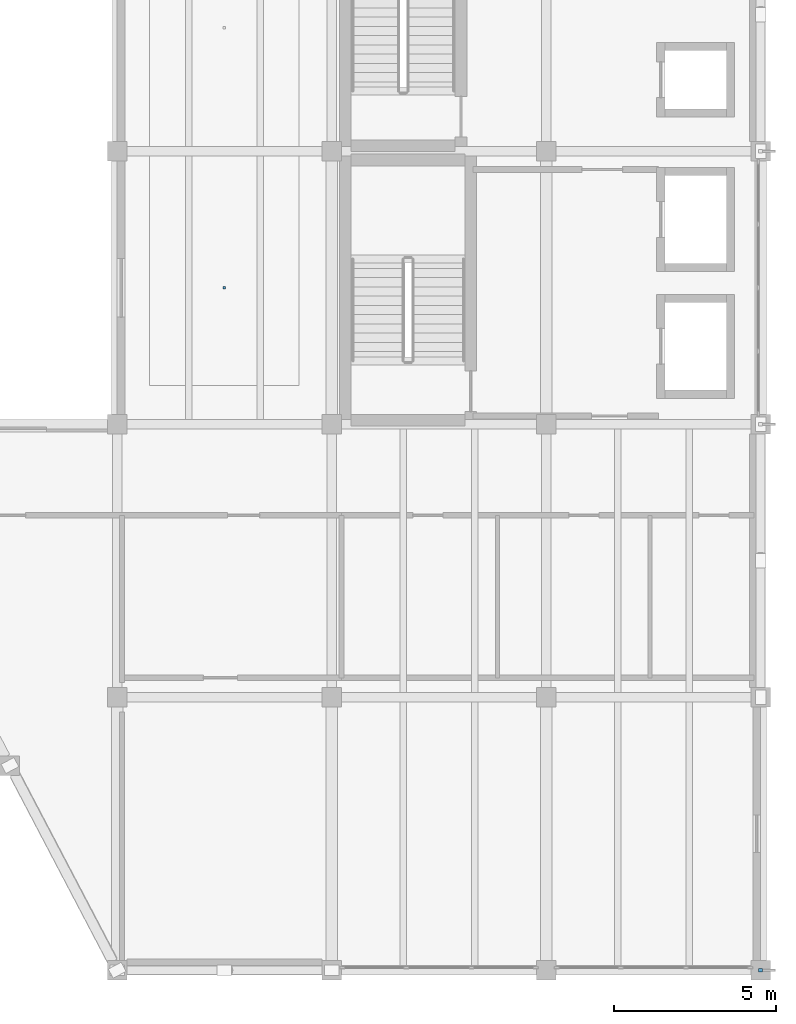
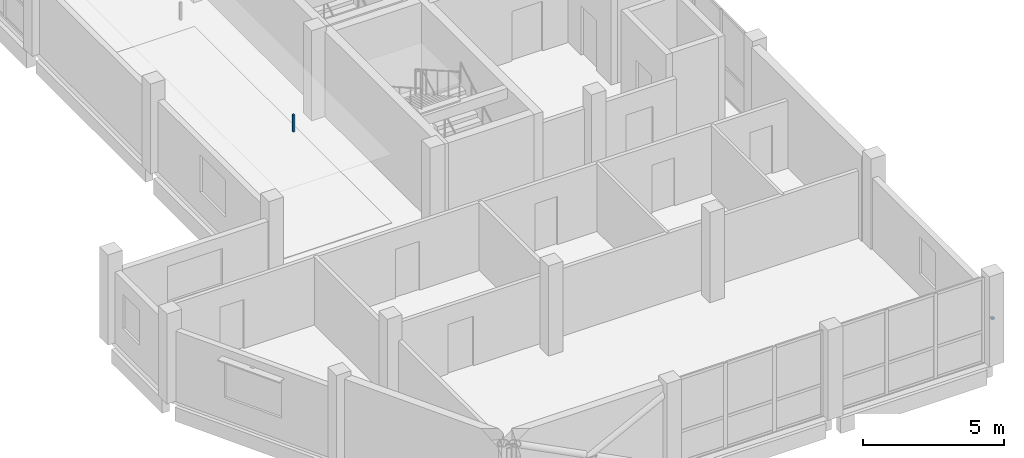
# One storey, part 8 of 12: 2 discrete accessories.
"""IFC4 building model written with IfcOpenShell, lengths in metres."""

from ifc_helpers import new_model, si_unit, direction, frame, origin, origin_2d, place, context, subcontext, project, spatial, rectangle, extrude, material, layer, layer_set, type_object, element, save


model = new_model("IFC4")

# Units and contexts
model_context = context("Model", 3, precision=1e-05, world=origin(), true_north=direction((0.0, 1.0)))
body_context = subcontext(model_context, "Body", "Model", "MODEL_VIEW")
ifc_project = project(units=[si_unit("LENGTHUNIT", "METRE"), si_unit("AREAUNIT", "SQUARE_METRE"), si_unit("VOLUMEUNIT", "CUBIC_METRE"), si_unit("PLANEANGLEUNIT", "RADIAN"), si_unit("MASSUNIT", "GRAM", prefix="KILO")], contexts=[model_context])

# Site, building, storey
site_placement = place(None, origin())
site = spatial("IfcSite", under=ifc_project, at=site_placement, CompositionType="ELEMENT")
building_placement = place(site_placement, origin())
building = spatial("IfcBuilding", under=site, at=building_placement, Name="Qaldarim Faculty of Natural and Applied Sciences", CompositionType="ELEMENT")
storey_placement = place(building_placement, frame((0.0, 0.0, 35.39990234375)))
storey = spatial("IfcBuildingStorey", under=building, at=storey_placement, Name="L08", CompositionType="ELEMENT", Elevation=35.39990234375)

# Discrete accessories
ifc_material = material(Name="Architectural stainless steel 316", Category="steel")
ifc_layer = layer(ifc_material, 0.080078125)
ifc_layer_set = layer_set([ifc_layer], Name="Architectural stainless steel 316")
discrete_accessory_type = type_object("IfcDiscreteAccessoryType", Name="FacadeBracket-SS120", PredefinedType="BRACKET", material=ifc_layer_set)
discrete_accessory_1_placement = place(storey_placement, frame((178.199951171875, 0.0, 1.800048828125), z_axis=(0.0, 0.0, 1.0), x_axis=(1.0, 0.0, 0.0)))
element("IfcDiscreteAccessory", 1, at=discrete_accessory_1_placement, inside=storey, type_object=discrete_accessory_type, Name="Tower fin bracket FIN-V5E-L08-Y01", PredefinedType="BRACKET", context=body_context, shape_type="SweptSolid", body=[
    extrude(rectangle(XDim=0.1201171875, YDim=0.1201171875, at=origin_2d()), origin(), (0.0, 0.0, 1.0), 0.080078125),
])
discrete_accessory_2_placement = place(storey_placement, frame((161.699951171875, 21.0, 2.9501953125), z_axis=(0.0, 0.0, 1.0), x_axis=(1.0, 0.0, 0.0)))
element("IfcDiscreteAccessory", 2, at=discrete_accessory_2_placement, inside=storey, type_object=discrete_accessory_type, Name="Ceiling suspension hanger L08 1", PredefinedType="BRACKET", context=body_context, shape_type="SweptSolid", body=[
    extrude(rectangle(XDim=0.080078125, YDim=0.080078125, at=origin_2d()), origin(), (0.0, 0.0, 1.0), 0.75),
])

save(model, "model.ifc")
